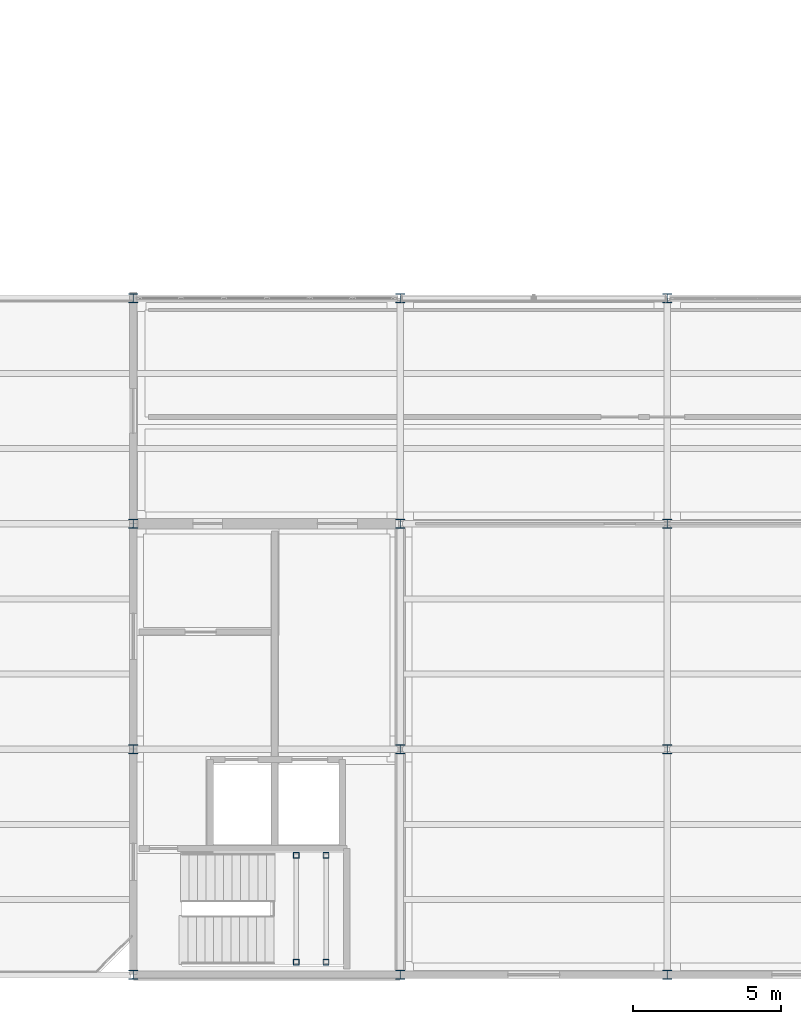
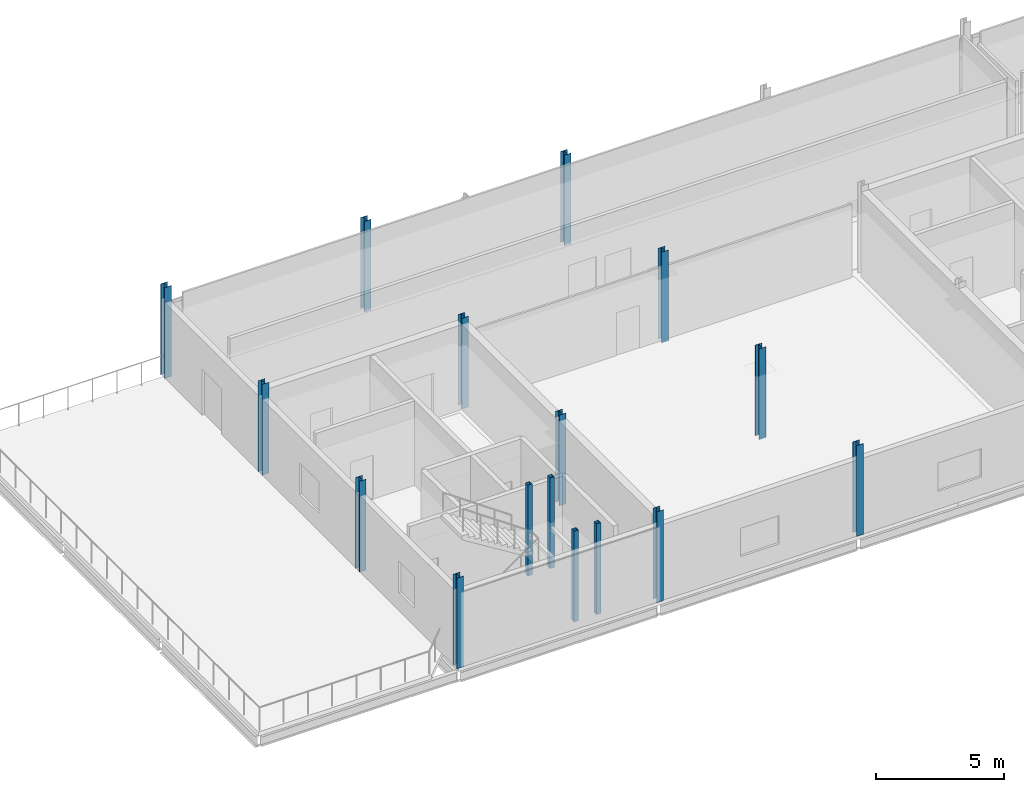
# One storey, part 1 of 48: 16 columns.
"""IFC4 building model written with IfcOpenShell, lengths in metres."""

from ifc_helpers import new_model, si_unit, direction, frame, origin, origin_2d, place, context, subcontext, project, spatial, hollow_rectangle, i_section, extrude, material, material_profile, profile_set, type_object, element, save


model = new_model("IFC4")

# Units and contexts
model_context = context("Model", 3, precision=1e-05, world=origin(), true_north=direction((0.0, 1.0)))
body_context = subcontext(model_context, "Body", "Model", "MODEL_VIEW")
ifc_project = project(units=[si_unit("LENGTHUNIT", "METRE"), si_unit("AREAUNIT", "SQUARE_METRE"), si_unit("VOLUMEUNIT", "CUBIC_METRE"), si_unit("PLANEANGLEUNIT", "RADIAN"), si_unit("MASSUNIT", "GRAM", prefix="KILO")], contexts=[model_context])

# Site, building, storey
site_placement = place(None, origin())
site = spatial("IfcSite", under=ifc_project, at=site_placement, CompositionType="ELEMENT")
building_placement = place(site_placement, origin())
building = spatial("IfcBuilding", under=site, at=building_placement, Name="Caisbarro Railhouse Central Library", CompositionType="ELEMENT")
storey_placement = place(building_placement, frame((0.0, 0.0, 18.0)))
storey = spatial("IfcBuildingStorey", under=building, at=storey_placement, Name="L04", CompositionType="ELEMENT", Elevation=18.0)

# Columns
ifc_material = material(Name="Steel ASTM A572 Grade 50", Category="steel")
ifc_material_profile_1 = material_profile(ifc_material, i_section(OverallWidth=0.305908203125, OverallDepth=0.31103515625, WebThickness=0.010986328125, FlangeThickness=0.01708984375, FilletRadius=0.014892578125, at=origin_2d()), Name="W310X107.0")
ifc_profile_set_1 = profile_set([ifc_material_profile_1], Name="Steel ASTM A572 Grade 50")
column_type_1 = type_object("IfcColumnType", Name="COL-C06", PredefinedType="COLUMN", material=ifc_profile_set_1)
for number, where, z_axis, x_axis, name in (
    (1, (63.0, 0.0, 0.0), (0.0, 0.0, 1.0), (1.0, 0.0, 0.0), "C06 column L04 (63.0,0.0)"),
    (2, (63.0, 7.60009765625, 0.0), (0.0, 0.0, 1.0), (1.0, 0.0, 0.0), "C06 column L04 (63.0,7.6)"),
    (3, (63.0, 15.199951171875, 0.0), (0.0, 0.0, 1.0), (1.0, 0.0, 0.0), "C06 column L04 (63.0,15.2)"),
    (4, (63.0, 22.800048828125, 0.0), (0.0, 0.0, 1.0), (1.0, 0.0, 0.0), "C06 column L04 (63.0,22.8)"),
    (5, (72.0, 0.0, 0.0), (0.0, 0.0, 1.0), (1.0, 0.0, 0.0), "C06 column L04 (72.0,0.0)"),
    (6, (72.0, 7.60009765625, 0.0), (0.0, 0.0, 1.0), (1.0, 0.0, 0.0), "C06 column L04 (72.0,7.6)"),
    (7, (72.0, 15.199951171875, 0.0), (0.0, 0.0, 1.0), (1.0, 0.0, 0.0), "C06 column L04 (72.0,15.2)"),
    (8, (72.0, 22.800048828125, 0.0), (0.0, 0.0, 1.0), (1.0, 0.0, 0.0), "C06 column L04 (72.0,22.8)"),
    (9, (81.0, 0.0, 0.0), (0.0, 0.0, 1.0), (1.0, 0.0, 0.0), "C06 column L04 (81.0,0.0)"),
    (10, (81.0, 7.60009765625, 0.0), (0.0, 0.0, 1.0), (1.0, 0.0, 0.0), "C06 column L04 (81.0,7.6)"),
    (11, (81.0, 15.199951171875, 0.0), (0.0, 0.0, 1.0), (1.0, 0.0, 0.0), "C06 column L04 (81.0,15.2)"),
    (12, (81.0, 22.800048828125, 0.0), (0.0, 0.0, 1.0), (1.0, 0.0, 0.0), "C06 column L04 (81.0,22.8)"),
):
    element("IfcColumn", number, at=place(storey_placement, frame(where, z_axis=z_axis, x_axis=x_axis)), inside=storey, type_object=column_type_1, Name=name, PredefinedType="COLUMN", context=body_context, shape_type="SweptSolid", body=[
        extrude(i_section(OverallWidth=0.305908203125, OverallDepth=0.31103515625, WebThickness=0.010986328125, FlangeThickness=0.01708984375, FilletRadius=0.014892578125, at=origin_2d()), origin(), (0.0, 0.0, 1.0), 4.320068359375),
    ])
ifc_material_profile_2 = material_profile(ifc_material, hollow_rectangle(XDim=0.199951171875, YDim=0.199951171875, WallThickness=0.012451171875, at=origin_2d()), Name="HSS200X200X12.5")
ifc_profile_set_2 = profile_set([ifc_material_profile_2], Name="Steel ASTM A572 Grade 50")
column_type_2 = type_object("IfcColumnType", Name="COL-C10", PredefinedType="COLUMN", material=ifc_profile_set_2)
for number, where, z_axis, x_axis, name in (
    (13, (68.5, 0.419921875, 0.0), (0.0, 0.0, 1.0), (1.0, 0.0, 0.0), "C10 Stair Landing Post K1 L04.1"),
    (14, (68.5, 4.030029296875, 0.0), (0.0, 0.0, 1.0), (1.0, 0.0, 0.0), "C10 Stair Landing Post K1 L04.2"),
    (15, (69.5, 0.419921875, 0.0), (0.0, 0.0, 1.0), (1.0, 0.0, 0.0), "C10 Stair Landing Post K1 L04.3"),
    (16, (69.5, 4.030029296875, 0.0), (0.0, 0.0, 1.0), (1.0, 0.0, 0.0), "C10 Stair Landing Post K1 L04.4"),
):
    element("IfcColumn", number, at=place(storey_placement, frame(where, z_axis=z_axis, x_axis=x_axis)), inside=storey, type_object=column_type_2, Name=name, PredefinedType="COLUMN", context=body_context, shape_type="SweptSolid", body=[
        extrude(hollow_rectangle(XDim=0.199951171875, YDim=0.199951171875, WallThickness=0.012451171875, at=origin_2d()), origin(), (0.0, 0.0, 1.0), 4.320068359375),
    ])

save(model, "model.ifc")
